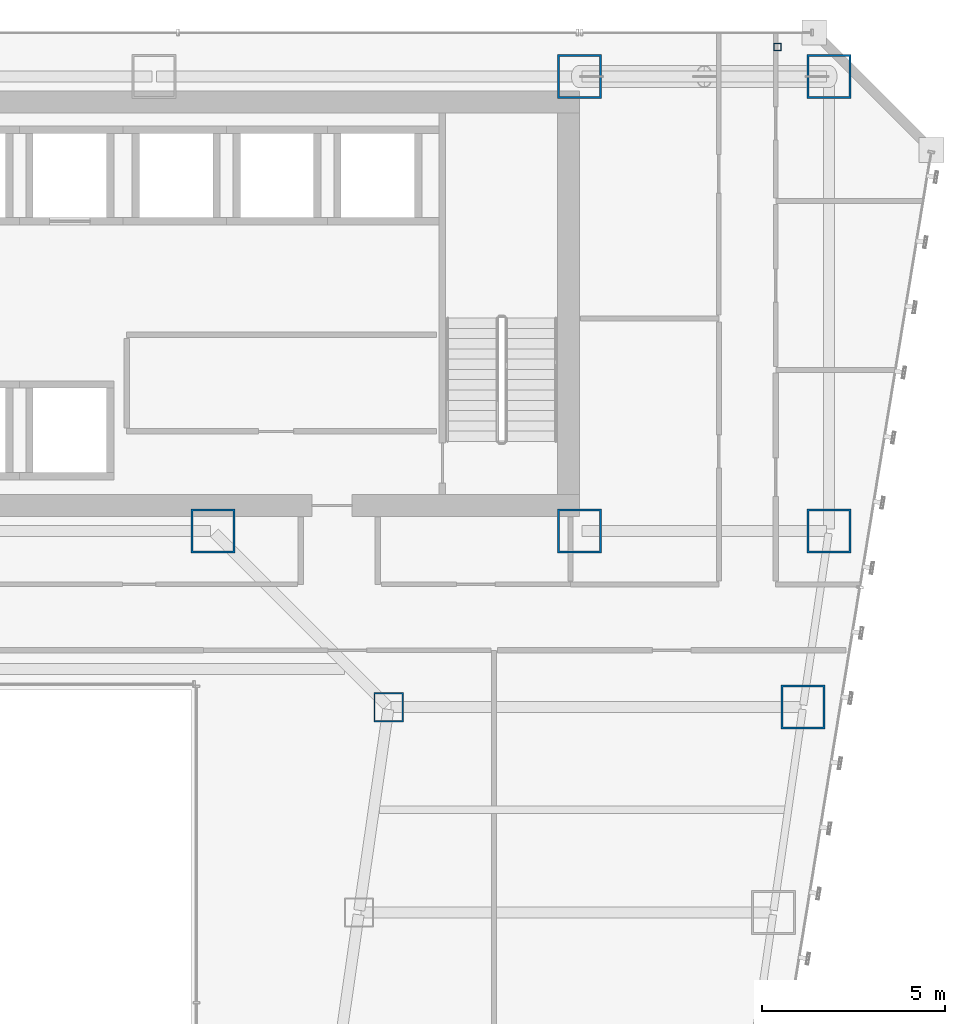
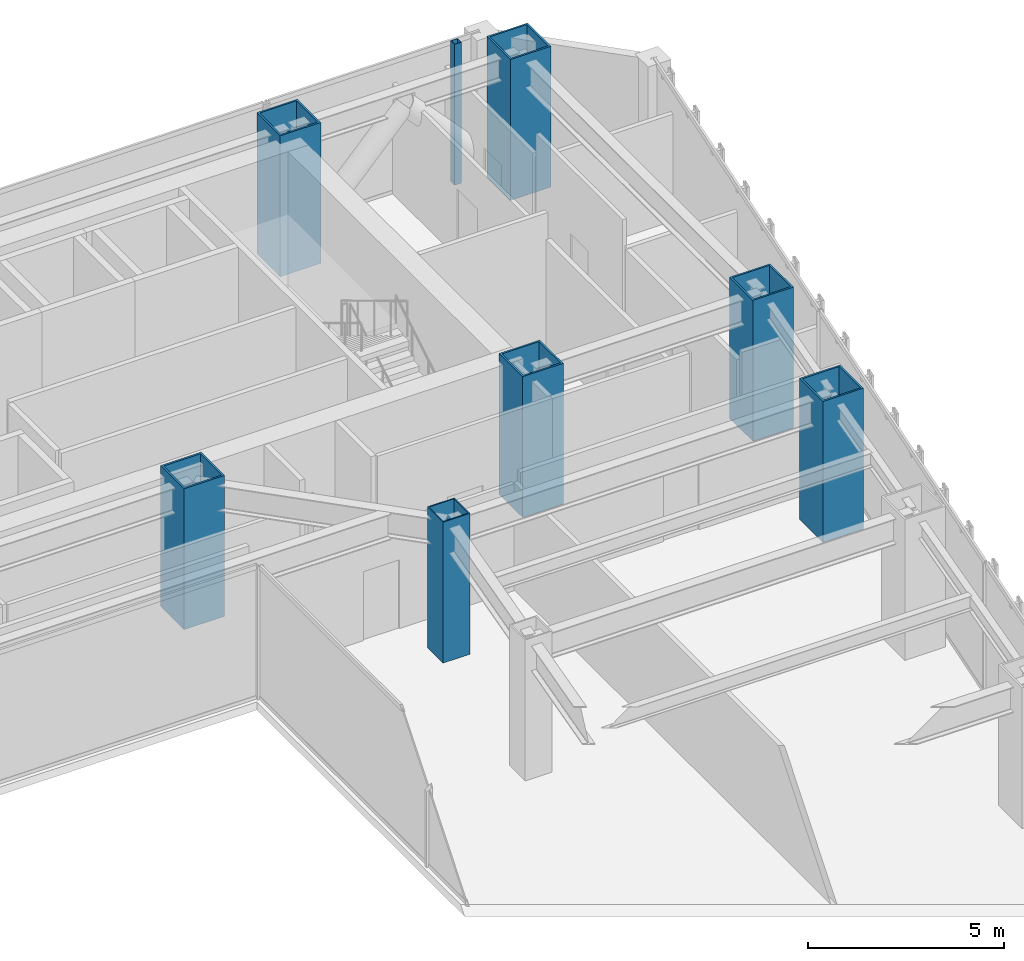
# One storey, part 3 of 47: 8 columns.
"""IFC4 building model written with IfcOpenShell, lengths in metres."""

from ifc_helpers import new_model, si_unit, direction, frame, origin, origin_2d, place, context, subcontext, project, spatial, hollow_rectangle, extrude, material, material_profile, profile_set, type_object, element, save


model = new_model("IFC4")

# Units and contexts
model_context = context("Model", 3, precision=1e-05, world=origin(), true_north=direction((0.0, 1.0)))
body_context = subcontext(model_context, "Body", "Model", "MODEL_VIEW")
ifc_project = project(units=[si_unit("LENGTHUNIT", "METRE"), si_unit("AREAUNIT", "SQUARE_METRE"), si_unit("VOLUMEUNIT", "CUBIC_METRE"), si_unit("PLANEANGLEUNIT", "RADIAN"), si_unit("MASSUNIT", "GRAM", prefix="KILO")], contexts=[model_context])

# Site, building, storey
site_placement = place(None, origin())
site = spatial("IfcSite", under=ifc_project, at=site_placement, CompositionType="ELEMENT")
building_placement = place(site_placement, origin())
building = spatial("IfcBuilding", under=site, at=building_placement, Name="Saevonmaru Cultural Tower", CompositionType="ELEMENT")
storey_placement = place(building_placement, frame((0.0, 0.0, 42.800048828125)))
storey = spatial("IfcBuildingStorey", under=building, at=storey_placement, Name="L08", CompositionType="ELEMENT", Elevation=42.800048828125)

# Columns
ifc_material_1 = material(Name="Steel HSA600 (600 MPa)", Category="steel")
ifc_material_profile_1 = material_profile(ifc_material_1, hollow_rectangle(XDim=1.199951171875, YDim=1.199951171875, WallThickness=0.054931640625, at=origin_2d()), Name="BOX-1200x1200x55")
ifc_profile_set_1 = profile_set([ifc_material_profile_1], Name="Steel HSA600 (600 MPa)")
column_type_1 = type_object("IfcColumnType", Name="COL-BOX-1200", PredefinedType="COLUMN", material=ifc_profile_set_1)
for number, where, z_axis, x_axis, name in (
    (1, (46.39990234375, 54.800048828125, 0.0), (0.0, 0.0, 1.0), (1.0, 0.0, 0.0), "L08 Column TC-N5N"),
    (2, (53.199951171875, 54.800048828125, 0.0), (0.0, 0.0, 1.0), (1.0, 0.0, 0.0), "L08 Column TC-N6N"),
    (3, (36.39990234375, 42.39990234375, 0.0), (0.0, 0.0, 1.0), (1.0, 0.0, 0.0), "L08 Column TC-S4C"),
    (4, (46.39990234375, 42.39990234375, 0.0), (0.0, 0.0, 1.0), (1.0, 0.0, 0.0), "L08 Column TC-S5C"),
    (5, (53.199951171875, 42.39990234375, 0.0), (0.0, 0.0, 1.0), (1.0, 0.0, 0.0), "L08 Column TC-S6C"),
    (6, (52.491943359375, 37.60009765625, 0.0), (0.0, 0.0, 1.0), (1.0, 0.0, 0.0), "L08 Column TC-EO-Y376"),
):
    element("IfcColumn", number, at=place(storey_placement, frame(where, z_axis=z_axis, x_axis=x_axis)), inside=storey, type_object=column_type_1, Name=name, PredefinedType="COLUMN", context=body_context, shape_type="SweptSolid", body=[
        extrude(hollow_rectangle(XDim=1.199951171875, YDim=1.199951171875, WallThickness=0.054931640625, at=origin_2d()), origin(), (0.0, 0.0, 1.0), 4.39990234375),
    ])
ifc_material_2 = material(Name="Steel SM420", Category="steel")
ifc_material_profile_2 = material_profile(ifc_material_2, hollow_rectangle(XDim=0.800048828125, YDim=0.800048828125, WallThickness=0.035888671875, at=origin_2d()), Name="BOX-800x800x36")
ifc_profile_set_2 = profile_set([ifc_material_profile_2], Name="Steel SM420")
column_type_2 = type_object("IfcColumnType", Name="COL-BOX-800", PredefinedType="COLUMN", material=ifc_profile_set_2)
column_1_placement = place(storey_placement, frame((41.19189453125, 37.60009765625, 0.0), z_axis=(0.0, 0.0, 1.0), x_axis=(1.0, 0.0, 0.0)))
element("IfcColumn", 7, at=column_1_placement, inside=storey, type_object=column_type_2, Name="L08 Column TC-EI-Y376", PredefinedType="COLUMN", context=body_context, shape_type="SweptSolid", body=[
    extrude(hollow_rectangle(XDim=0.800048828125, YDim=0.800048828125, WallThickness=0.035888671875, at=origin_2d()), origin(), (0.0, 0.0, 1.0), 4.39990234375),
])
ifc_material_3 = material(Name="Steel SM355", Category="steel")
ifc_material_profile_3 = material_profile(ifc_material_3, hollow_rectangle(XDim=0.199951171875, YDim=0.199951171875, WallThickness=0.010009765625, at=origin_2d()), Name="SHS-200x200x10")
ifc_profile_set_3 = profile_set([ifc_material_profile_3], Name="Steel SM355")
column_type_3 = type_object("IfcColumnType", Name="PIL-SHS-200", PredefinedType="PILASTER", material=ifc_profile_set_3)
column_2_placement = place(storey_placement, frame((51.800048828125, 55.60009765625, 0.0), z_axis=(0.0, 0.0, 1.0), x_axis=(1.0, 0.0, 0.0)))
element("IfcColumn", 8, at=column_2_placement, inside=storey, type_object=column_type_3, Name="L08 Art Deco Bronze-Clad Pilaster PIL-NE", PredefinedType="PILASTER", context=body_context, shape_type="SweptSolid", body=[
    extrude(hollow_rectangle(XDim=0.199951171875, YDim=0.199951171875, WallThickness=0.010009765625, at=origin_2d()), origin(), (0.0, 0.0, 1.0), 4.39990234375),
])

save(model, "model.ifc")
